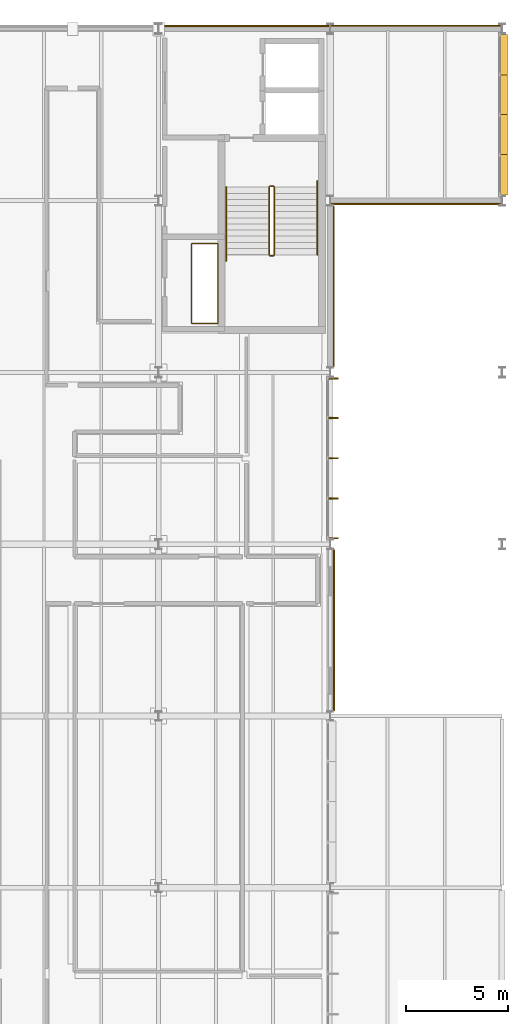
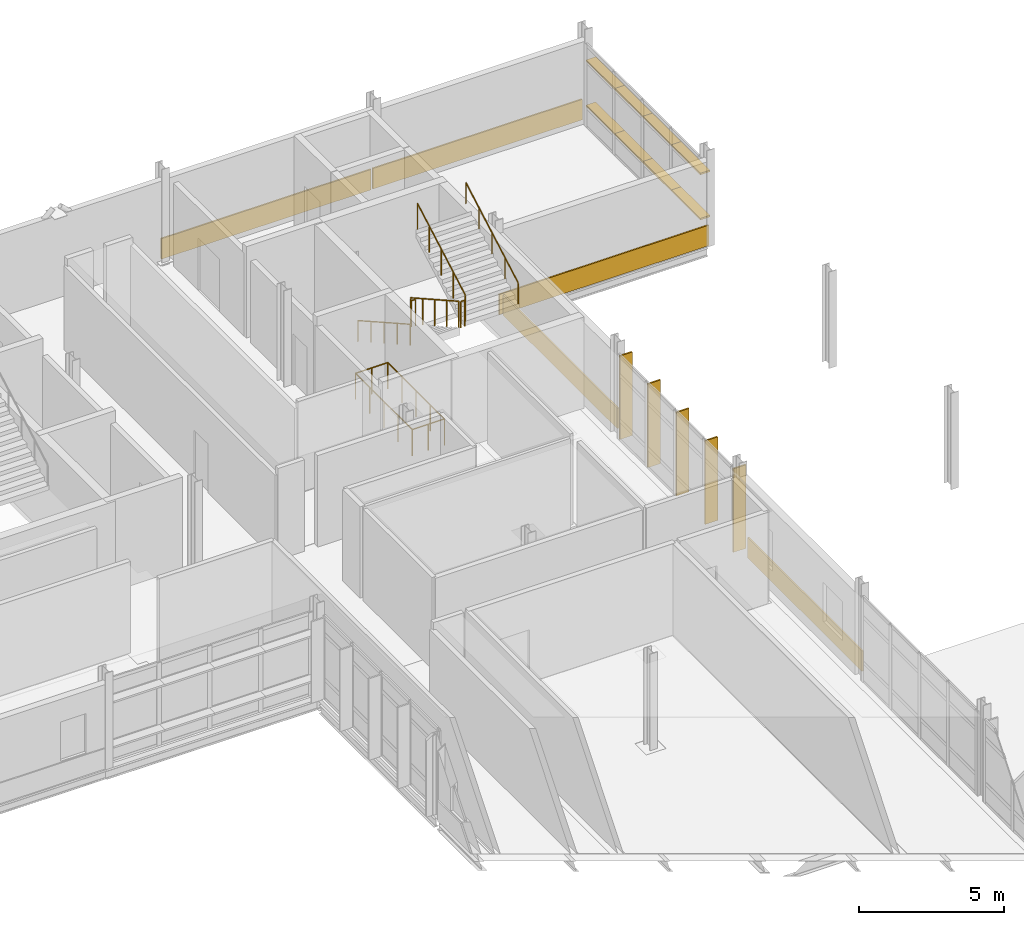
# One storey, part 151 of 151: 13 shading devices, 7 railings, 5 coverings.
"""IFC4 building model written with IfcOpenShell, lengths in metres."""

from ifc_helpers import new_model, si_unit, direction, frame, origin, origin_2d, place, context, subcontext, project, spatial, rectangle, circle, extrude, material, layer, layer_set, type_object, element, save


model = new_model("IFC4")

# Units and contexts
model_context = context("Model", 3, precision=1e-05, world=origin(), true_north=direction((0.0, 1.0)))
body_context = subcontext(model_context, "Body", "Model", "MODEL_VIEW")
ifc_project = project(units=[si_unit("LENGTHUNIT", "METRE"), si_unit("AREAUNIT", "SQUARE_METRE"), si_unit("VOLUMEUNIT", "CUBIC_METRE"), si_unit("PLANEANGLEUNIT", "RADIAN"), si_unit("MASSUNIT", "GRAM", prefix="KILO")], contexts=[model_context])

# Site, building, storey
site_placement = place(None, origin())
site = spatial("IfcSite", under=ifc_project, at=site_placement, CompositionType="ELEMENT")
building_placement = place(site_placement, origin())
building = spatial("IfcBuilding", under=site, at=building_placement, Name="Mersafa Astral City Hall", CompositionType="ELEMENT")
storey_placement = place(building_placement, frame((0.0, 0.0, 9.89990234375)))
storey = spatial("IfcBuildingStorey", under=building, at=storey_placement, Name="L02", CompositionType="ELEMENT", Elevation=9.89990234375)

# Coverings
ifc_material_1 = material(Name="Cairo Mokattam buff limestone cladding", Category="masonry")
ifc_layer = layer(ifc_material_1, 0.06005859375, Name="Cairo Mokattam buff limestone cladding")
ifc_layer_set = layer_set([ifc_layer], Name="Cairo Mokattam buff limestone cladding — ENV-COV-LIMESTONE-60")
covering_type = type_object("IfcCoveringType", Name="ENV-COV-LIMESTONE-60", PredefinedType="CLADDING", material=ifc_layer_set)
covering_1_placement = place(storey_placement, frame((176.576904296875, 96.58740234375, 0.0), z_axis=(0.0, 0.0, 1.0), x_axis=(0.0, 1.0, 0.0)))
element("IfcCovering", 1, at=covering_1_placement, inside=storey, type_object=covering_type, Name="L02 Cairo buff limestone rainscreen cladding 173", PredefinedType="CLADDING", context=body_context, shape_type="SweptSolid", body=[
    extrude(rectangle(XDim=7.873046875, YDim=0.06005859375, at=origin_2d()), origin(), (0.0, 0.0, 1.0), 0.860107421875),
])
covering_2_placement = place(storey_placement, frame((176.569580078125, 113.39990234375, 0.0), z_axis=(0.0, 0.0, 1.0), x_axis=(0.0, 1.0, 0.0)))
element("IfcCovering", 2, at=covering_2_placement, inside=storey, type_object=covering_type, Name="L02 Cairo buff limestone rainscreen cladding 174", PredefinedType="CLADDING", context=body_context, shape_type="SweptSolid", body=[
    extrude(rectangle(XDim=7.847900390625, YDim=0.06005859375, at=origin_2d()), origin(), (0.0, 0.0, 1.0), 0.860107421875),
])
for number, where, z_axis, x_axis, name in (
    (3, (180.60009765625, 117.43798828125, 0.0), (0.0, 0.0, 1.0), (1.0, 0.0, 0.0), "L02 Cairo buff limestone rainscreen cladding 175"),
    (4, (180.60009765625, 126.154541015625, 0.0), (0.0, 0.0, 1.0), (-1.0, 0.0, 0.0), "L02 Cairo buff limestone rainscreen cladding 176"),
    (5, (172.199951171875, 126.14697265625, 0.0), (0.0, 0.0, 1.0), (-1.0, 0.0, 0.0), "L02 Cairo buff limestone rainscreen cladding 177"),
):
    element("IfcCovering", number, at=place(storey_placement, frame(where, z_axis=z_axis, x_axis=x_axis)), inside=storey, type_object=covering_type, Name=name, PredefinedType="CLADDING", context=body_context, shape_type="SweptSolid", body=[
        extrude(rectangle(XDim=8.323974609375, YDim=0.06005859375, at=origin_2d()), origin(), (0.0, 0.0, 1.0), 0.860107421875),
    ])

# Shading devices
ifc_material_2 = material(Name="Anodised bronze aluminium solar fin", Category="aluminium")
shading_device_type_1 = type_object("IfcShadingDeviceType", Name="ENV-SHD-FIN-500A", PredefinedType="USERDEFINED", material=ifc_material_2)
for number, where, z_axis, x_axis, name in (
    (6, (176.544921875, 101.092041015625, -0.0146484375), (0.0, 0.0, 1.0), (0.0, 1.0, 0.0), "L02 Vertical bronze solar fin 805"),
    (7, (176.544921875, 103.031005859375, -0.0146484375), (0.0, 0.0, 1.0), (0.0, 1.0, 0.0), "L02 Vertical bronze solar fin 806"),
    (8, (176.544921875, 105.0, -0.0146484375), (0.0, 0.0, 1.0), (0.0, 1.0, 0.0), "L02 Vertical bronze solar fin 807"),
    (9, (176.544921875, 106.968994140625, -0.0146484375), (0.0, 0.0, 1.0), (0.0, 1.0, 0.0), "L02 Vertical bronze solar fin 808"),
    (10, (176.544921875, 108.907958984375, -0.0146484375), (0.0, 0.0, 1.0), (0.0, 1.0, 0.0), "L02 Vertical bronze solar fin 809"),
):
    element("IfcShadingDevice", number, at=place(storey_placement, frame(where, z_axis=z_axis, x_axis=x_axis)), inside=storey, type_object=shading_device_type_1, Name=name, ObjectType="FIN", PredefinedType="USERDEFINED", context=body_context, shape_type="SweptSolid", body=[
        extrude(rectangle(XDim=0.06005859375, YDim=0.5, at=origin_2d()), origin(), (0.0, 0.0, 1.0), 3.511962890625),
    ])
ifc_material_3 = material(Name="Kiln-dried cedar timber brise-soleil blade", Category="wood")
shading_device_type_2 = type_object("IfcShadingDeviceType", Name="ENV-SHD-LOUVRE-380", PredefinedType="JALOUSIE", material=ifc_material_3)
shading_device_1_placement = place(storey_placement, frame((184.8798828125, 118.861572265625, 0.81494140625), z_axis=(0.0, 0.0, 1.0), x_axis=(0.0, 1.0, 0.0)))
element("IfcShadingDevice", 11, at=shading_device_1_placement, inside=storey, type_object=shading_device_type_2, Name="L02 Horizontal cedar brise-soleil louvre 810", PredefinedType="JALOUSIE", context=body_context, shape_type="SweptSolid", body=[
    extrude(rectangle(XDim=1.97900390625, YDim=0.3798828125, at=origin_2d()), origin(), (0.0, 0.0, 1.0), 0.070068359375),
])
for number, where, z_axis, x_axis, name in (
    (12, (184.8798828125, 120.8154296875, 0.81494140625), (0.0, 0.0, 1.0), (0.0, 1.0, 0.0), "L02 Horizontal cedar brise-soleil louvre 811"),
    (13, (184.8798828125, 122.784423828125, 0.81494140625), (0.0, 0.0, 1.0), (0.0, 1.0, 0.0), "L02 Horizontal cedar brise-soleil louvre 812"),
):
    element("IfcShadingDevice", number, at=place(storey_placement, frame(where, z_axis=z_axis, x_axis=x_axis)), inside=storey, type_object=shading_device_type_2, Name=name, PredefinedType="JALOUSIE", context=body_context, shape_type="SweptSolid", body=[
        extrude(rectangle(XDim=2.009033203125, YDim=0.3798828125, at=origin_2d()), origin(), (0.0, 0.0, 1.0), 0.070068359375),
    ])
for number, where, z_axis, x_axis, name in (
    (14, (184.8798828125, 124.738525390625, 0.81494140625), (0.0, 0.0, 1.0), (0.0, 1.0, 0.0), "L02 Horizontal cedar brise-soleil louvre 813"),
    (15, (184.8798828125, 118.861572265625, 2.71484375), (0.0, 0.0, 1.0), (0.0, 1.0, 0.0), "L02 Horizontal cedar brise-soleil louvre 814"),
):
    element("IfcShadingDevice", number, at=place(storey_placement, frame(where, z_axis=z_axis, x_axis=x_axis)), inside=storey, type_object=shading_device_type_2, Name=name, PredefinedType="JALOUSIE", context=body_context, shape_type="SweptSolid", body=[
        extrude(rectangle(XDim=1.97900390625, YDim=0.3798828125, at=origin_2d()), origin(), (0.0, 0.0, 1.0), 0.070068359375),
    ])
for number, where, z_axis, x_axis, name in (
    (16, (184.8798828125, 120.8154296875, 2.71484375), (0.0, 0.0, 1.0), (0.0, 1.0, 0.0), "L02 Horizontal cedar brise-soleil louvre 815"),
    (17, (184.8798828125, 122.784423828125, 2.71484375), (0.0, 0.0, 1.0), (0.0, 1.0, 0.0), "L02 Horizontal cedar brise-soleil louvre 816"),
):
    element("IfcShadingDevice", number, at=place(storey_placement, frame(where, z_axis=z_axis, x_axis=x_axis)), inside=storey, type_object=shading_device_type_2, Name=name, PredefinedType="JALOUSIE", context=body_context, shape_type="SweptSolid", body=[
        extrude(rectangle(XDim=2.009033203125, YDim=0.3798828125, at=origin_2d()), origin(), (0.0, 0.0, 1.0), 0.070068359375),
    ])
shading_device_2_placement = place(storey_placement, frame((184.8798828125, 124.738525390625, 2.71484375), z_axis=(0.0, 0.0, 1.0), x_axis=(0.0, 1.0, 0.0)))
element("IfcShadingDevice", 18, at=shading_device_2_placement, inside=storey, type_object=shading_device_type_2, Name="L02 Horizontal cedar brise-soleil louvre 817", PredefinedType="JALOUSIE", context=body_context, shape_type="SweptSolid", body=[
    extrude(rectangle(XDim=1.97900390625, YDim=0.3798828125, at=origin_2d()), origin(), (0.0, 0.0, 1.0), 0.070068359375),
])

# Railings
ifc_material_4 = material(Name="Painted architectural steel stair guard balustrade", Category="steel")
railing_type_1 = type_object("IfcRailingType", Name="GUARD-RAIL", PredefinedType="BALUSTRADE", material=ifc_material_4)
railing_1_placement = place(storey_placement, frame((173.409912109375, 118.260009765625, 0.1689453125)))
element("IfcRailing", 19, at=railing_1_placement, inside=storey, type_object=railing_type_1, Name="L02 ST2 stair guard 1", PredefinedType="BALUSTRADE", context=body_context, shape_type="SweptSolid", body=[
    extrude(circle(Radius=0.02392578125, at=origin_2d()), frame((0.0, 0.0, 1.09619140625), z_axis=(0.0, -0.871584147158, 0.490245932592), x_axis=(1.0, 0.0, 0.0)), (0.0, 0.0, 1.0), 3.786376953125),
    extrude(circle(Radius=0.02099609375, at=origin_2d()), origin(), (0.0, 0.0, 1.0), 1.072021484375),
    extrude(circle(Radius=0.02099609375, at=origin_2d()), frame((0.0, -0.824951171875, 0.464111328125)), (0.0, 0.0, 1.0), 1.072021484375),
    extrude(circle(Radius=0.02099609375, at=origin_2d()), frame((0.0, -1.64990234375, 0.92822265625)), (0.0, 0.0, 1.0), 1.072021484375),
    extrude(circle(Radius=0.02099609375, at=origin_2d()), frame((0.0, -2.47509765625, 1.39208984375)), (0.0, 0.0, 1.0), 1.072021484375),
    extrude(circle(Radius=0.02099609375, at=origin_2d()), frame((0.0, -3.300048828125, 1.856201171875)), (0.0, 0.0, 1.0), 1.072021484375),
])
railing_2_placement = place(storey_placement, frame((173.4599609375, 114.909912109375, 2.025146484375)))
element("IfcRailing", 20, at=railing_2_placement, inside=storey, type_object=railing_type_1, Name="L02 ST2 stair guard 2", PredefinedType="BALUSTRADE", context=body_context, shape_type="SweptSolid", body=[
    extrude(circle(Radius=0.02392578125, at=origin_2d()), frame((0.0, 0.0, 1.09619140625), z_axis=(1.0, 0.0, 0.0), x_axis=(0.0, 1.0, 0.0)), (0.0, 0.0, 1.0), 0.16015625),
    extrude(circle(Radius=0.02099609375, at=origin_2d()), origin(), (0.0, 0.0, 1.0), 1.072021484375),
    extrude(circle(Radius=0.02099609375, at=origin_2d()), frame((0.16015625, 0.0, 0.0)), (0.0, 0.0, 1.0), 1.072021484375),
])
railing_3_placement = place(storey_placement, frame((173.669921875, 114.9599609375, 2.19384765625)))
element("IfcRailing", 21, at=railing_3_placement, inside=storey, type_object=railing_type_1, Name="L02 ST2 stair guard 3", PredefinedType="BALUSTRADE", context=body_context, shape_type="SweptSolid", body=[
    extrude(circle(Radius=0.02392578125, at=origin_2d()), frame((0.0, 0.0, 1.09619140625), z_axis=(0.0, 0.871584147158, 0.490245932592), x_axis=(-1.0, 0.0, 0.0)), (0.0, 0.0, 1.0), 3.786376953125),
    extrude(circle(Radius=0.02099609375, at=origin_2d()), origin(), (0.0, 0.0, 1.0), 1.072021484375),
    extrude(circle(Radius=0.02099609375, at=origin_2d()), frame((0.0, 0.824951171875, 0.464111328125)), (0.0, 0.0, 1.0), 1.072021484375),
    extrude(circle(Radius=0.02099609375, at=origin_2d()), frame((0.0, 1.64990234375, 0.92822265625)), (0.0, 0.0, 1.0), 1.072021484375),
    extrude(circle(Radius=0.02099609375, at=origin_2d()), frame((0.0, 2.47509765625, 1.39208984375)), (0.0, 0.0, 1.0), 1.072021484375),
    extrude(circle(Radius=0.02099609375, at=origin_2d()), frame((0.0, 3.300048828125, 1.856201171875)), (0.0, 0.0, 1.0), 1.072021484375),
])
railing_4_placement = place(storey_placement, frame((173.4599609375, 118.31005859375, 0.0)))
element("IfcRailing", 22, at=railing_4_placement, inside=storey, type_object=railing_type_1, Name="L02 ST2 stair guard 4", PredefinedType="BALUSTRADE", context=body_context, shape_type="SweptSolid", body=[
    extrude(circle(Radius=0.02392578125, at=origin_2d()), frame((0.0, 0.0, 1.09619140625), z_axis=(1.0, 0.0, 0.0), x_axis=(0.0, 1.0, 0.0)), (0.0, 0.0, 1.0), 0.16015625),
    extrude(circle(Radius=0.02099609375, at=origin_2d()), origin(), (0.0, 0.0, 1.0), 1.072021484375),
    extrude(circle(Radius=0.02099609375, at=origin_2d()), frame((0.16015625, 0.0, 0.0)), (0.0, 0.0, 1.0), 1.072021484375),
])
railing_5_placement = place(storey_placement, frame((169.6201171875, 111.60009765625, 0.0)))
element("IfcRailing", 23, at=railing_5_placement, inside=storey, type_object=railing_type_1, Name="L02 K2 MEP Riser Shaft Guard", PredefinedType="BALUSTRADE", context=body_context, shape_type="SweptSolid", body=[
    extrude(circle(Radius=0.02392578125, at=origin_2d()), frame((0.0, 0.0, 1.09619140625), z_axis=(1.0, 0.0, 0.0), x_axis=(0.0, 1.0, 0.0)), (0.0, 0.0, 1.0), 1.27978515625),
    extrude(circle(Radius=0.02392578125, at=origin_2d()), frame((1.27978515625, 0.0, 1.09619140625), z_axis=(0.0, 1.0, 0.0), x_axis=(-1.0, 0.0, 0.0)), (0.0, 0.0, 1.0), 3.89990234375),
    extrude(circle(Radius=0.02392578125, at=origin_2d()), frame((1.27978515625, 3.89990234375, 1.09619140625), z_axis=(-1.0, 0.0, 0.0), x_axis=(0.0, -1.0, 0.0)), (0.0, 0.0, 1.0), 1.27978515625),
    extrude(circle(Radius=0.02392578125, at=origin_2d()), frame((0.0, 3.89990234375, 1.09619140625), z_axis=(0.0, -1.0, 0.0), x_axis=(1.0, 0.0, 0.0)), (0.0, 0.0, 1.0), 3.89990234375),
    extrude(circle(Radius=0.02099609375, at=origin_2d()), origin(), (0.0, 0.0, 1.0), 1.072021484375),
    extrude(circle(Radius=0.02099609375, at=origin_2d()), frame((0.639892578125, 0.0, 0.0)), (0.0, 0.0, 1.0), 1.072021484375),
    extrude(circle(Radius=0.02099609375, at=origin_2d()), frame((1.27978515625, 0.0, 0.0)), (0.0, 0.0, 1.0), 1.072021484375),
    extrude(circle(Radius=0.02099609375, at=origin_2d()), frame((1.27978515625, 0.97509765625, 0.0)), (0.0, 0.0, 1.0), 1.072021484375),
    extrude(circle(Radius=0.02099609375, at=origin_2d()), frame((1.27978515625, 1.949951171875, 0.0)), (0.0, 0.0, 1.0), 1.072021484375),
    extrude(circle(Radius=0.02099609375, at=origin_2d()), frame((1.27978515625, 2.9248046875, 0.0)), (0.0, 0.0, 1.0), 1.072021484375),
    extrude(circle(Radius=0.02099609375, at=origin_2d()), frame((1.27978515625, 3.89990234375, 0.0)), (0.0, 0.0, 1.0), 1.072021484375),
    extrude(circle(Radius=0.02099609375, at=origin_2d()), frame((0.639892578125, 3.89990234375, 0.0)), (0.0, 0.0, 1.0), 1.072021484375),
    extrude(circle(Radius=0.02099609375, at=origin_2d()), frame((0.0, 3.89990234375, 0.0)), (0.0, 0.0, 1.0), 1.072021484375),
    extrude(circle(Radius=0.02099609375, at=origin_2d()), frame((0.0, 2.9248046875, 0.0)), (0.0, 0.0, 1.0), 1.072021484375),
    extrude(circle(Radius=0.02099609375, at=origin_2d()), frame((0.0, 1.949951171875, 0.0)), (0.0, 0.0, 1.0), 1.072021484375),
    extrude(circle(Radius=0.02099609375, at=origin_2d()), frame((0.0, 0.97509765625, 0.0)), (0.0, 0.0, 1.0), 1.072021484375),
])
ifc_material_5 = material(Name="Brushed stainless steel tubular handrail", Category="steel")
railing_type_2 = type_object("IfcRailingType", Name="HANDRAIL", PredefinedType="HANDRAIL", material=ifc_material_5)
railing_6_placement = place(storey_placement, frame((171.31005859375, 118.260009765625, 0.1689453125)))
element("IfcRailing", 24, at=railing_6_placement, inside=storey, type_object=railing_type_2, Name="L02 ST2 stair handrail 1", PredefinedType="HANDRAIL", context=body_context, shape_type="SweptSolid", body=[
    extrude(circle(Radius=0.02392578125, at=origin_2d()), frame((0.0, 0.0, 0.8759765625), z_axis=(0.0, -0.871288196072, 0.4907717182), x_axis=(1.0, 0.0, 0.0)), (0.0, 0.0, 1.0), 4.1318359375),
    extrude(circle(Radius=0.02099609375, at=origin_2d()), origin(), (0.0, 0.0, 1.0), 0.851806640625),
    extrude(circle(Radius=0.02099609375, at=origin_2d()), frame((0.0, -0.89990234375, 0.5068359375)), (0.0, 0.0, 1.0), 0.851806640625),
    extrude(circle(Radius=0.02099609375, at=origin_2d()), frame((0.0, -1.800048828125, 1.013916015625)), (0.0, 0.0, 1.0), 0.851806640625),
    extrude(circle(Radius=0.02099609375, at=origin_2d()), frame((0.0, -2.7001953125, 1.52099609375)), (0.0, 0.0, 1.0), 0.851806640625),
    extrude(circle(Radius=0.02099609375, at=origin_2d()), frame((0.0, -3.60009765625, 2.02783203125)), (0.0, 0.0, 1.0), 0.851806640625),
])
railing_7_placement = place(storey_placement, frame((175.77001953125, 114.9599609375, 2.19384765625)))
element("IfcRailing", 25, at=railing_7_placement, inside=storey, type_object=railing_type_2, Name="L02 ST2 stair handrail 2", PredefinedType="HANDRAIL", context=body_context, shape_type="SweptSolid", body=[
    extrude(circle(Radius=0.02392578125, at=origin_2d()), frame((0.0, 0.0, 0.8759765625), z_axis=(0.0, 0.871262930089, 0.49081657129), x_axis=(-1.0, 0.0, 0.0)), (0.0, 0.0, 1.0), 4.132080078125),
    extrude(circle(Radius=0.02099609375, at=origin_2d()), origin(), (0.0, 0.0, 1.0), 0.851806640625),
    extrude(circle(Radius=0.02099609375, at=origin_2d()), frame((0.0, 0.89990234375, 0.507080078125)), (0.0, 0.0, 1.0), 0.851806640625),
    extrude(circle(Radius=0.02099609375, at=origin_2d()), frame((0.0, 1.800048828125, 1.01416015625)), (0.0, 0.0, 1.0), 0.851806640625),
    extrude(circle(Radius=0.02099609375, at=origin_2d()), frame((0.0, 2.7001953125, 1.52099609375)), (0.0, 0.0, 1.0), 0.851806640625),
    extrude(circle(Radius=0.02099609375, at=origin_2d()), frame((0.0, 3.60009765625, 2.028076171875)), (0.0, 0.0, 1.0), 0.851806640625),
])

save(model, "model.ifc")
